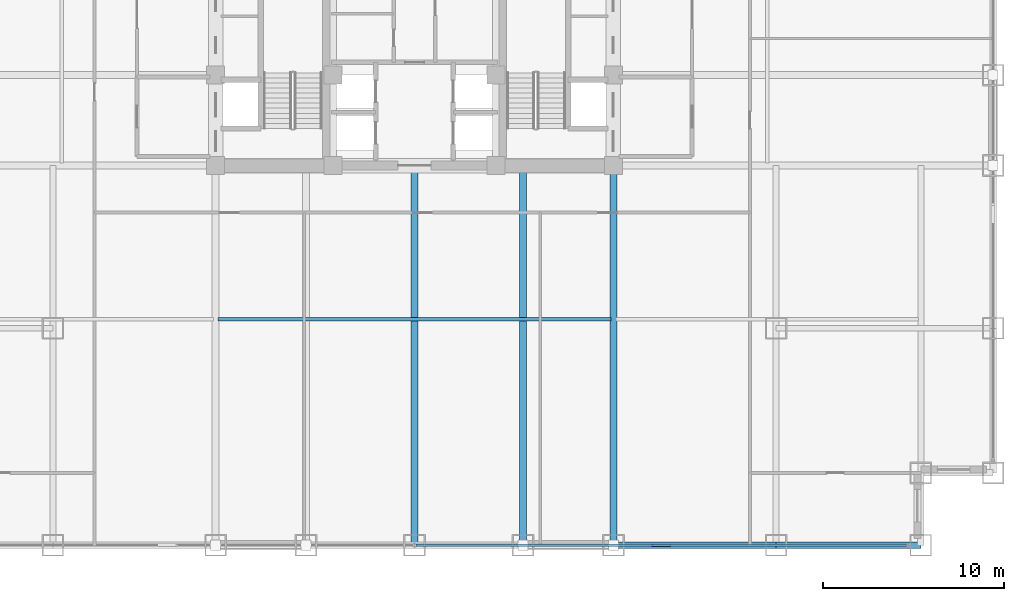
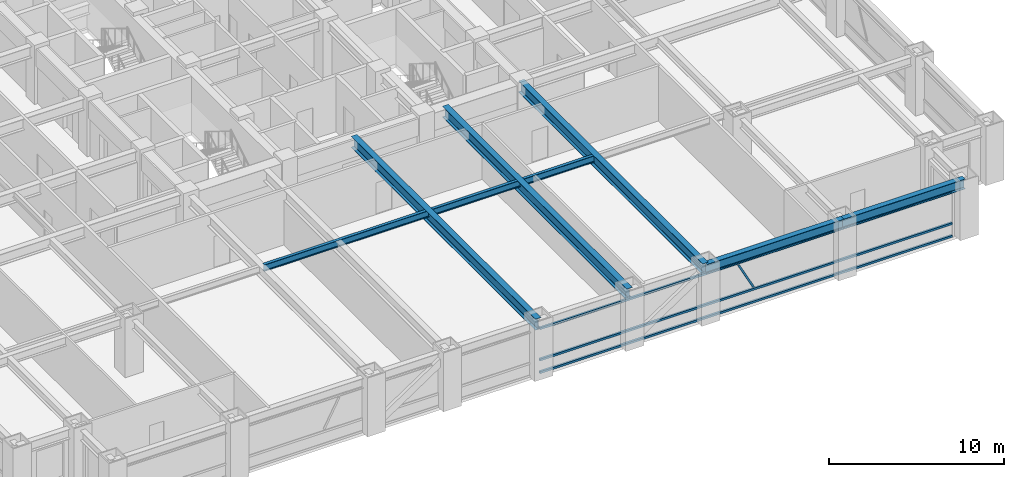
# One storey, part 5 of 27: 6 beams, 4 members, 1 element without a shape of its own.
"""IFC4 building model written with IfcOpenShell, lengths in metres."""

from ifc_helpers import new_model, si_unit, direction, frame, origin, origin_2d, place, context, subcontext, project, spatial, hollow_rectangle, i_section, extrude, source, transform, mapped, material, material_profile, profile_set, type_object, element, aggregate, save


model = new_model("IFC4")

# Units and contexts
model_context = context("Model", 3, precision=1e-05, world=origin(), true_north=direction((0.0, 1.0)))
body_context = subcontext(model_context, "Body", "Model", "MODEL_VIEW")
ifc_project = project(units=[si_unit("LENGTHUNIT", "METRE"), si_unit("AREAUNIT", "SQUARE_METRE"), si_unit("VOLUMEUNIT", "CUBIC_METRE"), si_unit("PLANEANGLEUNIT", "RADIAN"), si_unit("MASSUNIT", "GRAM", prefix="KILO")], contexts=[model_context])

# Site, building, storey
site_placement = place(None, origin())
site = spatial("IfcSite", under=ifc_project, at=site_placement, CompositionType="ELEMENT")
building_placement = place(site_placement, origin())
building = spatial("IfcBuilding", under=site, at=building_placement, Name="Khorayat Bourse Tower", CompositionType="ELEMENT")
storey_placement = place(building_placement, frame((0.0, 0.0, 103.699951171875)))
storey = spatial("IfcBuildingStorey", under=building, at=storey_placement, Name="L23", CompositionType="ELEMENT", Elevation=103.699951171875)

# Beams
ifc_material_1 = material(Name="Steel ASTM A992 Grade 50", Category="steel")
ifc_material_profile_1 = material_profile(ifc_material_1, i_section(OverallWidth=0.35498046875, OverallDepth=0.695068359375, WebThickness=0.015380859375, FlangeThickness=0.02490234375, FilletRadius=0.01806640625, at=origin_2d()), Name="W690X217")
ifc_profile_set_1 = profile_set([ifc_material_profile_1], Name="Steel ASTM A992 Grade 50")
beam_type_1 = type_object("IfcBeamType", Name="BM-SPAN-690", PredefinedType="SPANDREL", material=ifc_profile_set_1)
shared_shape_1 = source(origin(), body_context, "Body", "SweptSolid", [
    extrude(i_section(OverallWidth=0.35498046875, OverallDepth=0.695068359375, WebThickness=0.015380859375, FlangeThickness=0.02490234375, FilletRadius=0.01806640625, at=origin_2d()), origin(), (0.0, 0.0, 1.0), 9.0),
])
beam_1_placement = place(storey_placement, frame((11.0, -32.0, 3.492431640625), z_axis=(1.0, 0.0, 0.0), x_axis=(0.0, 1.0, 0.0)))
element("IfcBeam", 1, at=beam_1_placement, inside=storey, type_object=beam_type_1, Name="L23 BM-SPAN-690 BM-L23-SPN-030", PredefinedType="SPANDREL", context=body_context, shape_type="MappedRepresentation", body=[
    mapped(shared_shape_1, transform((0.0, 0.0, 0.0), scale=1.0)),
])
ifc_material_profile_2 = material_profile(ifc_material_1, i_section(OverallWidth=0.194091796875, OverallDepth=0.468994140625, WebThickness=0.0126953125, FlangeThickness=0.0205078125, FilletRadius=0.012939453125, at=origin_2d()), Name="W460X106")
ifc_profile_set_2 = profile_set([ifc_material_profile_2], Name="Steel ASTM A992 Grade 50")
beam_type_2 = type_object("IfcBeamType", Name="BM-JOIST-460", PredefinedType="JOIST", material=ifc_profile_set_2)
shared_shape_2 = source(origin(), body_context, "Body", "SweptSolid", [
    extrude(i_section(OverallWidth=0.194091796875, OverallDepth=0.468994140625, WebThickness=0.0126953125, FlangeThickness=0.0205078125, FilletRadius=0.012939453125, at=origin_2d()), origin(), (0.0, 0.0, 1.0), 21.740234375),
])
beam_2_placement = place(storey_placement, frame((-10.8701171875, -19.5, 3.60546875), z_axis=(1.0, 0.0, 0.0), x_axis=(0.0, 1.0, 0.0)))
element("IfcBeam", 2, at=beam_2_placement, inside=storey, type_object=beam_type_2, Name="L23 BM-JOIST-460 BM-L23-JSTX-097", PredefinedType="JOIST", context=body_context, shape_type="MappedRepresentation", body=[
    mapped(shared_shape_2, transform((0.0, 0.0, 0.0), scale=1.0)),
])
shared_shape_3 = source(origin(), body_context, "Body", "SweptSolid", [
    extrude(i_section(OverallWidth=0.35498046875, OverallDepth=0.695068359375, WebThickness=0.015380859375, FlangeThickness=0.02490234375, FilletRadius=0.01806640625, at=origin_2d()), origin(), (0.0, 0.0, 1.0), 8.0),
])
beam_3_placement = place(storey_placement, frame((20.0, -32.0, 3.492431640625), z_axis=(1.0, 0.0, 0.0), x_axis=(0.0, 1.0, 0.0)))
element("IfcBeam", 3, at=beam_3_placement, inside=storey, type_object=beam_type_1, Name="L23 BM-SPAN-690 BM-L23-SPN-031", PredefinedType="SPANDREL", context=body_context, shape_type="MappedRepresentation", body=[
    mapped(shared_shape_3, transform((0.0, 0.0, 0.0), scale=1.0)),
])
ifc_material_profile_3 = material_profile(ifc_material_1, i_section(OverallWidth=0.381103515625, OverallDepth=0.77294921875, WebThickness=0.0166015625, FlangeThickness=0.027587890625, FilletRadius=0.01806640625, at=origin_2d()), Name="W760X257")
ifc_profile_set_3 = profile_set([ifc_material_profile_3], Name="Steel ASTM A992 Grade 50")
beam_type_3 = type_object("IfcBeamType", Name="BM-GIRD-760", PredefinedType="BEAM", material=ifc_profile_set_3)
shared_shape_4 = source(origin(), body_context, "Body", "SweptSolid", [
    extrude(i_section(OverallWidth=0.381103515625, OverallDepth=0.77294921875, WebThickness=0.0166015625, FlangeThickness=0.027587890625, FilletRadius=0.01806640625, at=origin_2d()), origin(), (0.0, 0.0, 1.0), 21.0),
])
for number, where, z_axis, x_axis, name in (
    (4, (0.0, -32.0, 3.45361328125), (0.0, 1.0, 0.0), (-1.0, 0.0, 0.0), "L23 BM-GIRD-760 BM-L23-RADY-069"),
    (5, (6.0, -32.0, 3.45361328125), (0.0, 1.0, 0.0), (-1.0, 0.0, 0.0), "L23 BM-GIRD-760 BM-L23-RADY-071"),
    (6, (11.0, -32.0, 3.45361328125), (0.0, 1.0, 0.0), (-1.0, 0.0, 0.0), "L23 BM-GIRD-760 BM-L23-RADY-073"),
):
    element("IfcBeam", number, at=place(storey_placement, frame(where, z_axis=z_axis, x_axis=x_axis)), inside=storey, type_object=beam_type_3, Name=name, PredefinedType="BEAM", context=body_context, shape_type="MappedRepresentation", body=[
        mapped(shared_shape_4, transform((0.0, 0.0, 0.0), scale=1.0)),
    ])

# Curtain wall, members
ifc_material_2 = material(Name="Aluminium EN AW-6063 T6", Category="aluminium")
curtain_wall_type = type_object("IfcCurtainWallType", Name="CW-SYS-02", PredefinedType="NOTDEFINED", material=ifc_material_2)
curtain_wall_placement = place(storey_placement, origin())
curtain_wall = element("IfcCurtainWall", 7, at=curtain_wall_placement, inside=storey, type_object=curtain_wall_type, Name="L23 Curtain Wall CW-L23-S1", PredefinedType="NOTDEFINED")
ifc_material_profile_4 = material_profile(ifc_material_2, hollow_rectangle(XDim=0.139892578125, YDim=0.139892578125, WallThickness=0.006103515625, at=origin_2d()), Name="ALU 140x140x6")
ifc_profile_set_4 = profile_set([ifc_material_profile_4], Name="Aluminium EN AW-6063 T6")
member_type_1 = type_object("IfcMemberType", Name="CWT-HORZ-140", PredefinedType="USERDEFINED", material=ifc_profile_set_4)
shared_shape_5 = source(origin(), body_context, "Body", "SweptSolid", [
    extrude(hollow_rectangle(XDim=0.139892578125, YDim=0.139892578125, WallThickness=0.006103515625, at=origin_2d()), origin(), (0.0, 0.0, 1.0), 27.139892578125),
])
member_1_placement = place(storey_placement, frame((0.070068359375, -32.0, 0.070068359375), z_axis=(1.0, 0.0, 0.0), x_axis=(0.0, 1.0, 0.0)))
member_1 = element("IfcMember", 8, at=member_1_placement, type_object=member_type_1, Name="CW-L23-S1 Horizontal Transom 2-1", ObjectType="TRANSOM", PredefinedType="USERDEFINED", context=body_context, shape_type="MappedRepresentation", body=[
    mapped(shared_shape_5, transform((0.0, 0.0, 0.0), scale=1.0)),
])
member_2_placement = place(storey_placement, frame((0.070068359375, -32.0, 0.949951171875), z_axis=(1.0, 0.0, 0.0), x_axis=(0.0, 1.0, 0.0)))
member_2 = element("IfcMember", 9, at=member_2_placement, type_object=member_type_1, Name="CW-L23-S1 Horizontal Transom 2-2", ObjectType="TRANSOM", PredefinedType="USERDEFINED", context=body_context, shape_type="MappedRepresentation", body=[
    mapped(shared_shape_5, transform((0.0, 0.0, 0.0), scale=1.0)),
])
member_3_placement = place(storey_placement, frame((0.070068359375, -32.0, 3.1201171875), z_axis=(1.0, 0.0, 0.0), x_axis=(0.0, 1.0, 0.0)))
member_3 = element("IfcMember", 10, at=member_3_placement, type_object=member_type_1, Name="CW-L23-S1 Horizontal Transom 2-3", ObjectType="TRANSOM", PredefinedType="USERDEFINED", context=body_context, shape_type="MappedRepresentation", body=[
    mapped(shared_shape_5, transform((0.0, 0.0, 0.0), scale=1.0)),
])
ifc_material_profile_5 = material_profile(ifc_material_2, hollow_rectangle(XDim=0.1201171875, YDim=0.1201171875, WallThickness=0.0048828125, at=origin_2d()), Name="ALU 120x120x5")
ifc_profile_set_5 = profile_set([ifc_material_profile_5], Name="Aluminium EN AW-6063 T6")
member_type_2 = type_object("IfcMemberType", Name="CWM-DIAG-120", PredefinedType="MULLION", material=ifc_profile_set_5)
shared_shape_6 = source(origin(), body_context, "Body", "SweptSolid", [
    extrude(hollow_rectangle(XDim=0.1201171875, YDim=0.1201171875, WallThickness=0.0048828125, at=origin_2d()), origin(), (0.0, 0.0, 1.0), 2.113037109375),
])
member_4_placement = place(storey_placement, frame((14.132080078125, -32.0, 1.10009765625), z_axis=(-0.465741670874, 0.0, 0.884920728659), x_axis=(0.0, -1.0, 0.0)))
member_4 = element("IfcMember", 11, at=member_4_placement, type_object=member_type_2, Name="CW-L23-S1 Faceted Diagonal Mullion 2", PredefinedType="MULLION", context=body_context, shape_type="MappedRepresentation", body=[
    mapped(shared_shape_6, transform((0.0, 0.0, 0.0), scale=1.0)),
])
aggregate(curtain_wall, [member_1, member_2, member_3, member_4])

save(model, "model.ifc")
